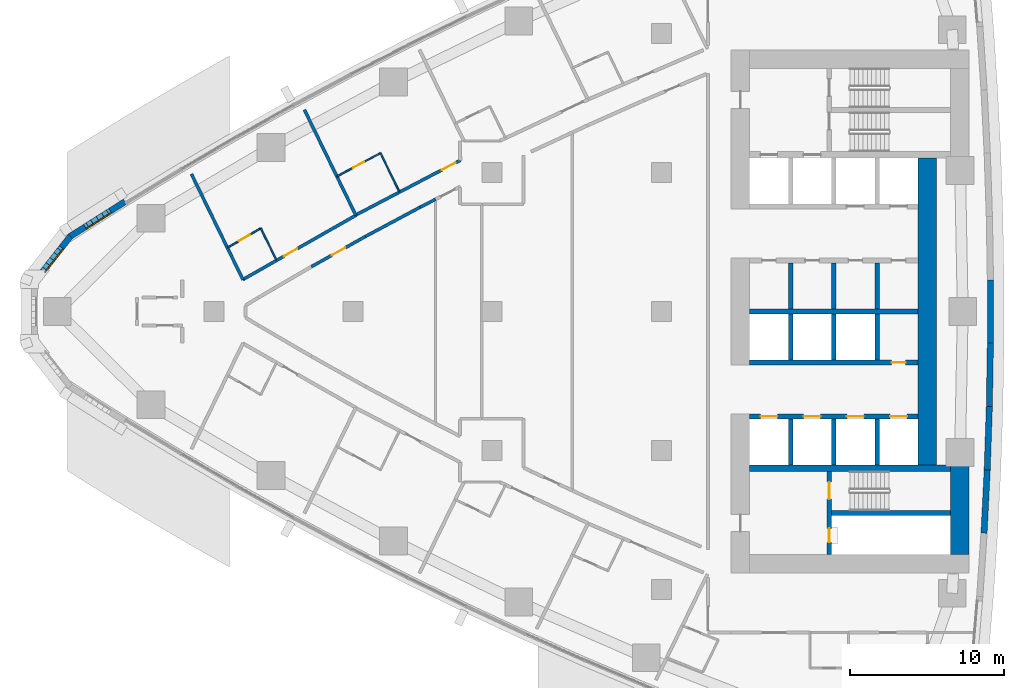
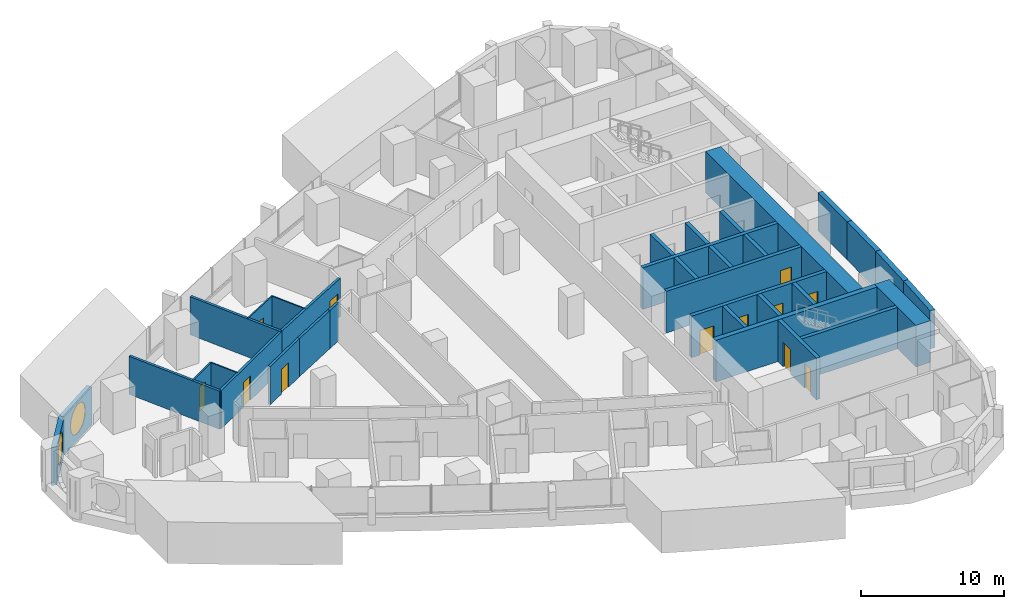
# One storey, part 11 of 19: 34 walls, 12 doors, 2 windows, 14 openings.
"""IFC4 building model written with IfcOpenShell, lengths in metres."""

from ifc_helpers import new_model, si_unit, direction, frame, frame_2d, origin, place, context, subcontext, project, spatial, polyline, rectangle, outline, extrude, material, layer, layer_set, type_object, element, fill, save


model = new_model("IFC4")

# Units and contexts
model_context = context("Model", 3, precision=1e-05, world=origin(), true_north=direction((0.0, 1.0)))
body_context = subcontext(model_context, "Body", "Model", "MODEL_VIEW")
ifc_project = project(units=[si_unit("LENGTHUNIT", "METRE"), si_unit("AREAUNIT", "SQUARE_METRE"), si_unit("VOLUMEUNIT", "CUBIC_METRE"), si_unit("PLANEANGLEUNIT", "RADIAN"), si_unit("MASSUNIT", "GRAM", prefix="KILO")], contexts=[model_context])

# Site, building, storey
site_placement = place(None, origin())
site = spatial("IfcSite", under=ifc_project, at=site_placement, CompositionType="ELEMENT")
building_placement = place(site_placement, origin())
building = spatial("IfcBuilding", under=site, at=building_placement, Name="Ostrand Prow Hotel Tower", CompositionType="ELEMENT")
storey_placement = place(building_placement, frame((0.0, 0.0, 50.25)))
storey = spatial("IfcBuildingStorey", under=building, at=storey_placement, Name="L10", CompositionType="ELEMENT", Elevation=50.25)

# Walls
ifc_material_1 = material(Name="Concrete C80/95", Category="concrete")
ifc_layer_1 = layer(ifc_material_1, 1.199951171875)
ifc_layer_set_1 = layer_set([ifc_layer_1], Name="Concrete C80/95")
wall_type_1 = type_object("IfcWallType", Name="Core wall 1200 C80/95", PredefinedType="SHEAR", material=ifc_layer_set_1)
wall_1_placement = place(storey_placement, frame((64.320068359375, -15.75, 0.0), z_axis=(0.0, 0.0, 1.0), x_axis=(0.0, 1.0, 0.0)))
element("IfcWall", 1, at=wall_1_placement, inside=storey, type_object=wall_type_1, Name="Core wall CW-E-S", PredefinedType="SHEAR", context=body_context, shape_type="SweptSolid", body=[
    extrude(rectangle(XDim=5.800048828125, YDim=1.199951171875, at=frame_2d((2.89990234375, 0.0))), origin(), (0.0, 0.0, 1.0), 3.550048828125),
])
wall_2_placement = place(storey_placement, frame((62.199951171875, -9.949951171875, 0.0), z_axis=(0.0, 0.0, 1.0), x_axis=(0.0, 1.0, 0.0)))
element("IfcWall", 2, at=wall_2_placement, inside=storey, type_object=wall_type_1, Name="Core wall CW-E-C", PredefinedType="SHEAR", context=body_context, shape_type="SweptSolid", body=[
    extrude(rectangle(XDim=19.89990234375, YDim=1.199951171875, at=frame_2d((9.949951171875, 0.0))), origin(), (0.0, 0.0, 1.0), 3.550048828125),
])
ifc_material_2 = material(Name="Concrete C80/95", Category="concrete")
ifc_layer_2 = layer(ifc_material_2, 0.300048828125)
ifc_layer_set_2 = layer_set([ifc_layer_2], Name="Concrete C80/95")
wall_type_2 = type_object("IfcWallType", Name="Core wall 300 C80/95", PredefinedType="SHEAR", material=ifc_layer_set_2)
wall_3_placement = place(storey_placement, frame((50.699951171875, 0.0, 0.0), z_axis=(0.0, 0.0, 1.0), x_axis=(1.0, 0.0, 0.0)))
element("IfcWall", 3, at=wall_3_placement, inside=storey, type_object=wall_type_2, Name="Core wall PW-C", PredefinedType="SHEAR", context=body_context, shape_type="SweptSolid", body=[
    extrude(rectangle(XDim=10.900146484375, YDim=0.300048828125, at=frame_2d((5.4501953125, 0.0))), origin(), (0.0, 0.0, 1.0), 3.550048828125),
])
for number, where, z_axis, x_axis, name in (
    (4, (53.35009765625, 0.14990234375, 0.0), (0.0, 0.0, 1.0), (0.0, 1.0, 0.0), "Core wall PW-R1-NB"),
    (5, (56.14990234375, 0.14990234375, 0.0), (0.0, 0.0, 1.0), (0.0, 1.0, 0.0), "Core wall PW-R2-NB"),
    (6, (58.949951171875, 0.14990234375, 0.0), (0.0, 0.0, 1.0), (0.0, 1.0, 0.0), "Core wall PW-R3-NB"),
):
    element("IfcWall", number, at=place(storey_placement, frame(where, z_axis=z_axis, x_axis=x_axis)), inside=storey, type_object=wall_type_2, Name=name, PredefinedType="SHEAR", context=body_context, shape_type="SweptSolid", body=[
        extrude(rectangle(XDim=3.0, YDim=0.300048828125, at=frame_2d((1.5, 0.0))), origin(), (0.0, 0.0, 1.0), 3.550048828125),
    ])

# Wall, opening, door
wall_4_placement = place(storey_placement, frame((50.699951171875, -3.300048828125, 0.0), z_axis=(0.0, 0.0, 1.0), x_axis=(1.0, 0.0, 0.0)))
wall_4 = element("IfcWall", 7, at=wall_4_placement, inside=storey, type_object=wall_type_2, Name="Core wall PW-L1-S", PredefinedType="SHEAR", context=body_context, shape_type="SweptSolid", body=[
    extrude(rectangle(XDim=10.900146484375, YDim=0.300048828125, at=frame_2d((5.4501953125, 0.0))), origin(), (0.0, 0.0, 1.0), 3.550048828125),
])
opening_1_placement = place(wall_4_placement, frame((9.199951171875, 0.0, 0.0)))
opening_1 = element("IfcOpeningElement", 8, at=opening_1_placement, cuts=wall_4, Name="Opening FD2", PredefinedType="OPENING", context=body_context, shape_type="SweptSolid", body=[
    extrude(rectangle(XDim=0.89990234375, YDim=2.10009765625, at=frame_2d((0.449951171875, 1.050048828125))), frame((0.0, 0.159912109375, 0.0), z_axis=(0.0, -1.0, 0.0), x_axis=(1.0, 0.0, 0.0)), (0.0, 0.0, 1.0), 0.320068359375),
])
ifc_material_3 = material(Name="Steel fire door", Category="steel")
door_type_1 = type_object("IfcDoorType", Name="Fire door 900 EI120", OperationType="SINGLE_SWING_LEFT", PredefinedType="DOOR", material=ifc_material_3)
door_1_placement = place(opening_1_placement, origin())
door_1 = element("IfcDoor", 9, at=door_1_placement, inside=storey, type_object=door_type_1, Name="DOOR", OperationType="SINGLE_SWING_LEFT", OverallHeight=2.10009765625, OverallWidth=0.89990234375, PredefinedType="DOOR", context=body_context, shape_type="SweptSolid", body=[
    extrude(rectangle(XDim=0.89990234375, YDim=2.10009765625, at=frame_2d((0.449951171875, 1.050048828125))), frame((0.0, 0.02490234375, 0.0), z_axis=(0.0, -1.0, 0.0), x_axis=(1.0, 0.0, 0.0)), (0.0, 0.0, 1.0), 0.050048828125),
])
fill(opening_1, door_1)

# Wall, openings, doors
wall_5_placement = place(storey_placement, frame((50.699951171875, -6.800048828125, 0.0), z_axis=(0.0, 0.0, 1.0), x_axis=(1.0, 0.0, 0.0)))
wall_5 = element("IfcWall", 10, at=wall_5_placement, inside=storey, type_object=wall_type_2, Name="Core wall PW-L2-S", PredefinedType="SHEAR", context=body_context, shape_type="SweptSolid", body=[
    extrude(rectangle(XDim=10.900146484375, YDim=0.300048828125, at=frame_2d((5.4501953125, 0.0))), origin(), (0.0, 0.0, 1.0), 3.550048828125),
])
opening_2_placement = place(wall_5_placement, frame((0.699951171875, 0.0, 0.0)))
opening_2 = element("IfcOpeningElement", 11, at=opening_2_placement, cuts=wall_5, Name="Opening LD", PredefinedType="OPENING", context=body_context, shape_type="SweptSolid", body=[
    extrude(rectangle(XDim=1.10009765625, YDim=2.10009765625, at=frame_2d((0.550048828125, 1.050048828125))), frame((0.0, 0.159912109375, 0.0), z_axis=(0.0, -1.0, 0.0), x_axis=(1.0, 0.0, 0.0)), (0.0, 0.0, 1.0), 0.320068359375),
])
opening_3_placement = place(wall_5_placement, frame((3.5, 0.0, 0.0)))
opening_3 = element("IfcOpeningElement", 12, at=opening_3_placement, cuts=wall_5, Name="Opening LD", PredefinedType="OPENING", context=body_context, shape_type="SweptSolid", body=[
    extrude(rectangle(XDim=1.10009765625, YDim=2.10009765625, at=frame_2d((0.550048828125, 1.050048828125))), frame((0.0, 0.159912109375, 0.0), z_axis=(0.0, -1.0, 0.0), x_axis=(1.0, 0.0, 0.0)), (0.0, 0.0, 1.0), 0.320068359375),
])
opening_4_placement = place(wall_5_placement, frame((6.300048828125, 0.0, 0.0)))
opening_4 = element("IfcOpeningElement", 13, at=opening_4_placement, cuts=wall_5, Name="Opening LD", PredefinedType="OPENING", context=body_context, shape_type="SweptSolid", body=[
    extrude(rectangle(XDim=1.10009765625, YDim=2.10009765625, at=frame_2d((0.550048828125, 1.050048828125))), frame((0.0, 0.159912109375, 0.0), z_axis=(0.0, -1.0, 0.0), x_axis=(1.0, 0.0, 0.0)), (0.0, 0.0, 1.0), 0.320068359375),
])
opening_5_placement = place(wall_5_placement, frame((9.10009765625, 0.0, 0.0)))
opening_5 = element("IfcOpeningElement", 14, at=opening_5_placement, cuts=wall_5, Name="Opening LD", PredefinedType="OPENING", context=body_context, shape_type="SweptSolid", body=[
    extrude(rectangle(XDim=1.10009765625, YDim=2.10009765625, at=frame_2d((0.550048828125, 1.050048828125))), frame((0.0, 0.159912109375, 0.0), z_axis=(0.0, -1.0, 0.0), x_axis=(1.0, 0.0, 0.0)), (0.0, 0.0, 1.0), 0.320068359375),
])
ifc_material_4 = material(Name="Stainless steel door", Category="steel")
door_type_2 = type_object("IfcDoorType", Name="Lift landing door 1100", OperationType="DOUBLE_DOOR_SLIDING", PredefinedType="DOOR", material=ifc_material_4)
door_2_placement = place(opening_2_placement, origin())
door_2 = element("IfcDoor", 15, at=door_2_placement, inside=storey, type_object=door_type_2, Name="LIFT LANDING DOOR", OperationType="DOUBLE_DOOR_SLIDING", OverallHeight=2.10009765625, OverallWidth=1.10009765625, PredefinedType="DOOR", context=body_context, shape_type="SweptSolid", body=[
    extrude(rectangle(XDim=1.10009765625, YDim=2.10009765625, at=frame_2d((0.550048828125, 1.050048828125))), frame((0.0, 0.02490234375, 0.0), z_axis=(0.0, -1.0, 0.0), x_axis=(1.0, 0.0, 0.0)), (0.0, 0.0, 1.0), 0.050048828125),
])
fill(opening_2, door_2)
door_3_placement = place(opening_3_placement, origin())
door_3 = element("IfcDoor", 16, at=door_3_placement, inside=storey, type_object=door_type_2, Name="LIFT LANDING DOOR", OperationType="DOUBLE_DOOR_SLIDING", OverallHeight=2.10009765625, OverallWidth=1.10009765625, PredefinedType="DOOR", context=body_context, shape_type="SweptSolid", body=[
    extrude(rectangle(XDim=1.10009765625, YDim=2.10009765625, at=frame_2d((0.550048828125, 1.050048828125))), frame((0.0, 0.02490234375, 0.0), z_axis=(0.0, -1.0, 0.0), x_axis=(1.0, 0.0, 0.0)), (0.0, 0.0, 1.0), 0.050048828125),
])
fill(opening_3, door_3)
door_4_placement = place(opening_4_placement, origin())
door_4 = element("IfcDoor", 17, at=door_4_placement, inside=storey, type_object=door_type_2, Name="LIFT LANDING DOOR", OperationType="DOUBLE_DOOR_SLIDING", OverallHeight=2.10009765625, OverallWidth=1.10009765625, PredefinedType="DOOR", context=body_context, shape_type="SweptSolid", body=[
    extrude(rectangle(XDim=1.10009765625, YDim=2.10009765625, at=frame_2d((0.550048828125, 1.050048828125))), frame((0.0, 0.02490234375, 0.0), z_axis=(0.0, -1.0, 0.0), x_axis=(1.0, 0.0, 0.0)), (0.0, 0.0, 1.0), 0.050048828125),
])
fill(opening_4, door_4)
door_5_placement = place(opening_5_placement, origin())
door_5 = element("IfcDoor", 18, at=door_5_placement, inside=storey, type_object=door_type_2, Name="LIFT LANDING DOOR", OperationType="DOUBLE_DOOR_SLIDING", OverallHeight=2.10009765625, OverallWidth=1.10009765625, PredefinedType="DOOR", context=body_context, shape_type="SweptSolid", body=[
    extrude(rectangle(XDim=1.10009765625, YDim=2.10009765625, at=frame_2d((0.550048828125, 1.050048828125))), frame((0.0, 0.02490234375, 0.0), z_axis=(0.0, -1.0, 0.0), x_axis=(1.0, 0.0, 0.0)), (0.0, 0.0, 1.0), 0.050048828125),
])
fill(opening_5, door_5)

# Walls
for number, where, z_axis, x_axis, name in (
    (19, (53.35009765625, -3.14990234375, 0.0), (0.0, 0.0, 1.0), (0.0, 1.0, 0.0), "Core wall PW-R1-SB"),
    (20, (53.35009765625, -9.949951171875, 0.0), (0.0, 0.0, 1.0), (0.0, 1.0, 0.0), "Core wall PW-R1-SA"),
    (21, (56.14990234375, -3.14990234375, 0.0), (0.0, 0.0, 1.0), (0.0, 1.0, 0.0), "Core wall PW-R2-SB"),
    (22, (56.14990234375, -9.949951171875, 0.0), (0.0, 0.0, 1.0), (0.0, 1.0, 0.0), "Core wall PW-R2-SA"),
    (23, (58.949951171875, -3.14990234375, 0.0), (0.0, 0.0, 1.0), (0.0, 1.0, 0.0), "Core wall PW-R3-SB"),
    (24, (58.949951171875, -9.949951171875, 0.0), (0.0, 0.0, 1.0), (0.0, 1.0, 0.0), "Core wall PW-R3-SA"),
):
    element("IfcWall", number, at=place(storey_placement, frame(where, z_axis=z_axis, x_axis=x_axis)), inside=storey, type_object=wall_type_2, Name=name, PredefinedType="SHEAR", context=body_context, shape_type="SweptSolid", body=[
        extrude(rectangle(XDim=3.0, YDim=0.300048828125, at=frame_2d((1.5, 0.0))), origin(), (0.0, 0.0, 1.0), 3.550048828125),
    ])

# Wall, openings, doors
wall_6_placement = place(storey_placement, frame((55.85009765625, -15.75, 0.0), z_axis=(0.0, 0.0, 1.0), x_axis=(0.0, 1.0, 0.0)))
wall_6 = element("IfcWall", 25, at=wall_6_placement, inside=storey, type_object=wall_type_2, Name="Core wall PW-VS", PredefinedType="SHEAR", context=body_context, shape_type="SweptSolid", body=[
    extrude(rectangle(XDim=5.39990234375, YDim=0.300048828125, at=frame_2d((2.699951171875, 0.0))), origin(), (0.0, 0.0, 1.0), 3.550048828125),
])
opening_6_placement = place(wall_6_placement, frame((3.60009765625, 0.0, 0.0)))
opening_6 = element("IfcOpeningElement", 26, at=opening_6_placement, cuts=wall_6, Name="Opening FD1", PredefinedType="OPENING", context=body_context, shape_type="SweptSolid", body=[
    extrude(rectangle(XDim=1.10009765625, YDim=2.10009765625, at=frame_2d((0.550048828125, 1.050048828125))), frame((0.0, 0.159912109375, 0.0), z_axis=(0.0, -1.0, 0.0), x_axis=(1.0, 0.0, 0.0)), (0.0, 0.0, 1.0), 0.320068359375),
])
opening_7_placement = place(wall_6_placement, frame((0.800048828125, 0.0, 0.0)))
opening_7 = element("IfcOpeningElement", 27, at=opening_7_placement, cuts=wall_6, Name="Opening FD2", PredefinedType="OPENING", context=body_context, shape_type="SweptSolid", body=[
    extrude(rectangle(XDim=0.89990234375, YDim=2.10009765625, at=frame_2d((0.449951171875, 1.050048828125))), frame((0.0, 0.159912109375, 0.0), z_axis=(0.0, -1.0, 0.0), x_axis=(1.0, 0.0, 0.0)), (0.0, 0.0, 1.0), 0.320068359375),
])
ifc_material_5 = material(Name="Steel fire door", Category="steel")
door_type_3 = type_object("IfcDoorType", Name="Fire door 1100 EI120", OperationType="SINGLE_SWING_RIGHT", PredefinedType="DOOR", material=ifc_material_5)
door_6_placement = place(opening_6_placement, origin())
door_6 = element("IfcDoor", 28, at=door_6_placement, inside=storey, type_object=door_type_3, Name="FIRE DOOR", OperationType="SINGLE_SWING_RIGHT", OverallHeight=2.10009765625, OverallWidth=1.10009765625, PredefinedType="DOOR", context=body_context, shape_type="SweptSolid", body=[
    extrude(rectangle(XDim=1.10009765625, YDim=2.10009765625, at=frame_2d((0.550048828125, 1.050048828125))), frame((0.0, 0.02490234375, 0.0), z_axis=(0.0, -1.0, 0.0), x_axis=(1.0, 0.0, 0.0)), (0.0, 0.0, 1.0), 0.050048828125),
])
fill(opening_6, door_6)
door_7_placement = place(opening_7_placement, origin())
door_7 = element("IfcDoor", 29, at=door_7_placement, inside=storey, type_object=door_type_1, Name="FIRE DOOR", OperationType="SINGLE_SWING_LEFT", OverallHeight=2.10009765625, OverallWidth=0.89990234375, PredefinedType="DOOR", context=body_context, shape_type="SweptSolid", body=[
    extrude(rectangle(XDim=0.89990234375, YDim=2.10009765625, at=frame_2d((0.449951171875, 1.050048828125))), frame((0.0, 0.02490234375, 0.0), z_axis=(0.0, -1.0, 0.0), x_axis=(1.0, 0.0, 0.0)), (0.0, 0.0, 1.0), 0.050048828125),
])
fill(opening_7, door_7)

# Walls
wall_7_placement = place(storey_placement, frame((56.0, -13.050048828125, 0.0), z_axis=(0.0, 0.0, 1.0), x_axis=(1.0, 0.0, 0.0)))
element("IfcWall", 30, at=wall_7_placement, inside=storey, type_object=wall_type_2, Name="Core wall PW-ST2R", PredefinedType="SHEAR", context=body_context, shape_type="SweptSolid", body=[
    extrude(rectangle(XDim=7.719970703125, YDim=0.300048828125, at=frame_2d((3.85986328125, 0.0))), origin(), (0.0, 0.0, 1.0), 3.550048828125),
])
ifc_material_6 = material(Name="Concrete C80/95", Category="concrete")
ifc_layer_3 = layer(ifc_material_6, 0.39990234375)
ifc_layer_set_3 = layer_set([ifc_layer_3], Name="Concrete C80/95")
wall_type_3 = type_object("IfcWallType", Name="Core wall 400 C80/95", PredefinedType="SHEAR", material=ifc_layer_set_3)
wall_8_placement = place(storey_placement, frame((50.699951171875, -10.14990234375, 0.0), z_axis=(0.0, 0.0, 1.0), x_axis=(1.0, 0.0, 0.0)))
element("IfcWall", 31, at=wall_8_placement, inside=storey, type_object=wall_type_3, Name="Core wall PW-BS", PredefinedType="SHEAR", context=body_context, shape_type="SweptSolid", body=[
    extrude(rectangle(XDim=13.02001953125, YDim=0.39990234375, at=frame_2d((6.510009765625, 0.0))), origin(), (0.0, 0.0, 1.0), 3.550048828125),
])

# Wall, opening, door
ifc_material_7 = material(Name="Plasterboard partition")
ifc_layer_4 = layer(ifc_material_7, 0.10009765625)
ifc_layer_set_4 = layer_set([ifc_layer_4], Name="Plasterboard partition")
wall_type_4 = type_object("IfcWallType", Name="Partition 100 bathroom wall", PredefinedType="PARTITIONING", material=ifc_layer_set_4)
wall_9_placement = place(storey_placement, frame((16.898193359375, 4.1435546875, 0.0), z_axis=(0.0, 0.0, 1.0), x_axis=(0.863707305865, 0.503993739837, 0.0)))
wall_9 = element("IfcWall", 32, at=wall_9_placement, inside=storey, type_object=wall_type_4, Name="BATHROOM WALL", PredefinedType="PARTITIONING", context=body_context, shape_type="SweptSolid", body=[
    extrude(rectangle(XDim=2.473876953125, YDim=0.10009765625, at=frame_2d((1.23681640625, 0.0))), origin(), (0.0, 0.0, 1.0), 3.25),
])
opening_8_placement = place(wall_9_placement, frame((0.85009765625, 0.0, 0.0)))
opening_8 = element("IfcOpeningElement", 33, at=opening_8_placement, cuts=wall_9, Name="Opening D2", PredefinedType="OPENING", context=body_context, shape_type="SweptSolid", body=[
    extrude(rectangle(XDim=0.800048828125, YDim=2.10009765625, at=frame_2d((0.39990234375, 1.050048828125))), frame((0.0, 0.06005859375, 0.0), z_axis=(0.0, -1.0, 0.0), x_axis=(1.0, 0.0, 0.0)), (0.0, 0.0, 1.0), 0.1201171875),
])
ifc_material_8 = material(Name="Timber door leaf", Category="wood")
door_type_4 = type_object("IfcDoorType", Name="Bathroom door 800", OperationType="SINGLE_SWING_LEFT", PredefinedType="DOOR", material=ifc_material_8)
door_8_placement = place(opening_8_placement, origin())
door_8 = element("IfcDoor", 34, at=door_8_placement, inside=storey, type_object=door_type_4, Name="DOOR", OperationType="SINGLE_SWING_LEFT", OverallHeight=2.10009765625, OverallWidth=0.800048828125, PredefinedType="DOOR", context=body_context, shape_type="SweptSolid", body=[
    extrude(rectangle(XDim=0.800048828125, YDim=2.10009765625, at=frame_2d((0.39990234375, 1.050048828125))), frame((0.0, 0.02490234375, 0.0), z_axis=(0.0, -1.0, 0.0), x_axis=(1.0, 0.0, 0.0)), (0.0, 0.0, 1.0), 0.050048828125),
])
fill(opening_8, door_8)

# Wall
wall_10_placement = place(storey_placement, frame((19.03515625, 5.390380859375, 0.0), z_axis=(0.0, 0.0, 1.0), x_axis=(0.438122322582, -0.898915363344, 0.0)))
element("IfcWall", 35, at=wall_10_placement, inside=storey, type_object=wall_type_4, Name="BATHROOM WALL", PredefinedType="PARTITIONING", context=body_context, shape_type="SweptSolid", body=[
    extrude(rectangle(XDim=2.282958984375, YDim=0.10009765625, at=frame_2d((1.1416015625, 0.0))), origin(), (0.0, 0.0, 1.0), 3.25),
])

# Wall, opening, door
wall_11_placement = place(storey_placement, frame((23.96240234375, 8.74755859375, 0.0), z_axis=(0.0, 0.0, 1.0), x_axis=(0.881653338438, 0.471897648672, 0.0)))
wall_11 = element("IfcWall", 36, at=wall_11_placement, inside=storey, type_object=wall_type_4, Name="BATHROOM WALL", PredefinedType="PARTITIONING", context=body_context, shape_type="SweptSolid", body=[
    extrude(rectangle(XDim=3.201904296875, YDim=0.10009765625, at=frame_2d((1.60107421875, 0.0))), origin(), (0.0, 0.0, 1.0), 3.25),
])
opening_9_placement = place(wall_11_placement, frame((1.199951171875, 0.0, 0.0)))
opening_9 = element("IfcOpeningElement", 37, at=opening_9_placement, cuts=wall_11, Name="Opening D2", PredefinedType="OPENING", context=body_context, shape_type="SweptSolid", body=[
    extrude(rectangle(XDim=0.800048828125, YDim=2.10009765625, at=frame_2d((0.39990234375, 1.050048828125))), frame((0.0, 0.06005859375, 0.0), z_axis=(0.0, -1.0, 0.0), x_axis=(1.0, 0.0, 0.0)), (0.0, 0.0, 1.0), 0.1201171875),
])
door_9_placement = place(opening_9_placement, origin())
door_9 = element("IfcDoor", 38, at=door_9_placement, inside=storey, type_object=door_type_4, Name="DOOR", OperationType="SINGLE_SWING_LEFT", OverallHeight=2.10009765625, OverallWidth=0.800048828125, PredefinedType="DOOR", context=body_context, shape_type="SweptSolid", body=[
    extrude(rectangle(XDim=0.800048828125, YDim=2.10009765625, at=frame_2d((0.39990234375, 1.050048828125))), frame((0.0, 0.02490234375, 0.0), z_axis=(0.0, -1.0, 0.0), x_axis=(1.0, 0.0, 0.0)), (0.0, 0.0, 1.0), 0.050048828125),
])
fill(opening_9, door_9)

# Wall
wall_12_placement = place(storey_placement, frame((26.78564453125, 10.258544921875, 0.0), z_axis=(0.0, 0.0, 1.0), x_axis=(0.43822975423, -0.898862994292, 0.0)))
element("IfcWall", 39, at=wall_12_placement, inside=storey, type_object=wall_type_4, Name="BATHROOM WALL", PredefinedType="PARTITIONING", context=body_context, shape_type="SweptSolid", body=[
    extrude(rectangle(XDim=2.77880859375, YDim=0.10009765625, at=frame_2d((1.389404296875, 0.0))), origin(), (0.0, 0.0, 1.0), 3.25),
])

# Wall, opening, door
ifc_material_9 = material(Name="Plasterboard partition")
ifc_layer_5 = layer(ifc_material_9, 0.199951171875)
ifc_layer_set_5 = layer_set([ifc_layer_5], Name="Plasterboard partition")
wall_type_5 = type_object("IfcWallType", Name="Partition 200 corridor wall", PredefinedType="PARTITIONING", material=ifc_layer_set_5)
wall_13_placement = place(storey_placement, frame((17.87353515625, 2.068115234375, 0.0), z_axis=(0.0, 0.0, 1.0), x_axis=(0.869280098963, 0.494319845391, 0.0)))
wall_13 = element("IfcWall", 40, at=wall_13_placement, inside=storey, type_object=wall_type_5, Name="CORRIDOR WALL", PredefinedType="PARTITIONING", context=body_context, shape_type="SweptSolid", body=[
    extrude(rectangle(XDim=8.4169921875, YDim=0.199951171875, at=frame_2d((4.20849609375, 0.0))), origin(), (0.0, 0.0, 1.0), 3.25),
])
opening_10_placement = place(wall_13_placement, frame((3.050048828125, 0.0, 0.0)))
opening_10 = element("IfcOpeningElement", 41, at=opening_10_placement, cuts=wall_13, Name="Opening D1", PredefinedType="OPENING", context=body_context, shape_type="SweptSolid", body=[
    extrude(rectangle(XDim=1.0, YDim=2.10009765625, at=frame_2d((0.5, 1.050048828125))), frame((0.0, 0.10986328125, 0.0), z_axis=(0.0, -1.0, 0.0), x_axis=(1.0, 0.0, 0.0)), (0.0, 0.0, 1.0), 0.219970703125),
])
ifc_material_10 = material(Name="Timber door leaf", Category="wood")
door_type_5 = type_object("IfcDoorType", Name="Guest room door 1000", OperationType="SINGLE_SWING_LEFT", PredefinedType="DOOR", material=ifc_material_10)
door_10_placement = place(opening_10_placement, origin())
door_10 = element("IfcDoor", 42, at=door_10_placement, inside=storey, type_object=door_type_5, Name="DOOR", OperationType="SINGLE_SWING_LEFT", OverallHeight=2.10009765625, OverallWidth=1.0, PredefinedType="DOOR", context=body_context, shape_type="SweptSolid", body=[
    extrude(rectangle(XDim=1.0, YDim=2.10009765625, at=frame_2d((0.5, 1.050048828125))), frame((0.0, 0.02490234375, 0.0), z_axis=(0.0, -1.0, 0.0), x_axis=(1.0, 0.0, 0.0)), (0.0, 0.0, 1.0), 0.050048828125),
])
fill(opening_10, door_10)

wall_14_placement = place(storey_placement, frame((31.949951171875, 9.79248046875, 0.0), z_axis=(0.0, 0.0, 1.0), x_axis=(-0.88581965272, -0.464029678851, 0.0)))
wall_14 = element("IfcWall", 43, at=wall_14_placement, inside=storey, type_object=wall_type_5, Name="CORRIDOR WALL", PredefinedType="PARTITIONING", context=body_context, shape_type="SweptSolid", body=[
    extrude(rectangle(XDim=7.64111328125, YDim=0.199951171875, at=frame_2d((3.820556640625, 0.0))), origin(), (0.0, 0.0, 1.0), 3.25),
])
opening_11_placement = place(wall_14_placement, frame((0.35009765625, 0.0, 0.0)))
opening_11 = element("IfcOpeningElement", 44, at=opening_11_placement, cuts=wall_14, Name="Opening D1", PredefinedType="OPENING", context=body_context, shape_type="SweptSolid", body=[
    extrude(rectangle(XDim=1.0, YDim=2.10009765625, at=frame_2d((0.5, 1.050048828125))), frame((0.0, 0.10986328125, 0.0), z_axis=(0.0, -1.0, 0.0), x_axis=(1.0, 0.0, 0.0)), (0.0, 0.0, 1.0), 0.219970703125),
])
door_11_placement = place(opening_11_placement, origin())
door_11 = element("IfcDoor", 45, at=door_11_placement, inside=storey, type_object=door_type_5, Name="DOOR", OperationType="SINGLE_SWING_LEFT", OverallHeight=2.10009765625, OverallWidth=1.0, PredefinedType="DOOR", context=body_context, shape_type="SweptSolid", body=[
    extrude(rectangle(XDim=1.0, YDim=2.10009765625, at=frame_2d((0.5, 1.050048828125))), frame((0.0, 0.02490234375, 0.0), z_axis=(0.0, -1.0, 0.0), x_axis=(1.0, 0.0, 0.0)), (0.0, 0.0, 1.0), 0.050048828125),
])
fill(opening_11, door_11)

wall_15_placement = place(storey_placement, frame((22.31201171875, 2.903076171875, 0.0), z_axis=(0.0, 0.0, 1.0), x_axis=(0.872800289292, 0.488077509225, 0.0)))
wall_15 = element("IfcWall", 46, at=wall_15_placement, inside=storey, type_object=wall_type_5, Name="CORRIDOR WALL", PredefinedType="PARTITIONING", context=body_context, shape_type="SweptSolid", body=[
    extrude(rectangle(XDim=4.015625, YDim=0.199951171875, at=frame_2d((2.0078125, 0.0))), origin(), (0.0, 0.0, 1.0), 3.25),
])
opening_12_placement = place(wall_15_placement, frame((1.5078125, 0.0, 0.0)))
opening_12 = element("IfcOpeningElement", 47, at=opening_12_placement, cuts=wall_15, Name="Opening D1R", PredefinedType="OPENING", context=body_context, shape_type="SweptSolid", body=[
    extrude(rectangle(XDim=1.0, YDim=2.10009765625, at=frame_2d((0.5, 1.050048828125))), frame((0.0, 0.10986328125, 0.0), z_axis=(0.0, -1.0, 0.0), x_axis=(1.0, 0.0, 0.0)), (0.0, 0.0, 1.0), 0.219970703125),
])
ifc_material_11 = material(Name="Timber door leaf", Category="wood")
door_type_6 = type_object("IfcDoorType", Name="Guest room door 1000 right", OperationType="SINGLE_SWING_RIGHT", PredefinedType="DOOR", material=ifc_material_11)
door_12_placement = place(opening_12_placement, origin())
door_12 = element("IfcDoor", 48, at=door_12_placement, inside=storey, type_object=door_type_6, Name="DOOR", OperationType="SINGLE_SWING_RIGHT", OverallHeight=2.10009765625, OverallWidth=1.0, PredefinedType="DOOR", context=body_context, shape_type="SweptSolid", body=[
    extrude(rectangle(XDim=1.0, YDim=2.10009765625, at=frame_2d((0.5, 1.050048828125))), frame((0.0, 0.02490234375, 0.0), z_axis=(0.0, -1.0, 0.0), x_axis=(1.0, 0.0, 0.0)), (0.0, 0.0, 1.0), 0.050048828125),
])
fill(opening_12, door_12)

# Walls
wall_16_placement = place(storey_placement, frame((29.357421875, 6.758056640625, 0.0), z_axis=(0.0, 0.0, 1.0), x_axis=(0.890241988655, 0.455487872106, 0.0)))
element("IfcWall", 49, at=wall_16_placement, inside=storey, type_object=wall_type_5, Name="CORRIDOR WALL", PredefinedType="PARTITIONING", context=body_context, shape_type="SweptSolid", body=[
    extrude(rectangle(XDim=1.11865234375, YDim=0.199951171875, at=frame_2d((0.559326171875, 0.0))), origin(), (0.0, 0.0, 1.0), 3.25),
])
wall_17_placement = place(storey_placement, frame((25.81689453125, 4.863037109375, 0.0), z_axis=(0.0, 0.0, 1.0), x_axis=(0.881655245922, 0.471894084874, 0.0)))
element("IfcWall", 50, at=wall_17_placement, inside=storey, type_object=wall_type_5, Name="CORRIDOR WALL", PredefinedType="PARTITIONING", context=body_context, shape_type="SweptSolid", body=[
    extrude(rectangle(XDim=4.015869140625, YDim=0.199951171875, at=frame_2d((2.0078125, 0.0))), origin(), (0.0, 0.0, 1.0), 3.25),
])
ifc_material_12 = material(Name="Plasterboard partition")
ifc_layer_6 = layer(ifc_material_12, 0.199951171875)
ifc_layer_set_6 = layer_set([ifc_layer_6], Name="Plasterboard partition")
wall_type_6 = type_object("IfcWallType", Name="Partition 200 key partition", PredefinedType="PARTITIONING", material=ifc_layer_set_6)
wall_18_placement = place(storey_placement, frame((17.88232421875, 2.050048828125, 0.0), z_axis=(0.0, 0.0, 1.0), x_axis=(-0.438213564788, 0.898870887078, 0.0)))
element("IfcWall", 51, at=wall_18_placement, inside=storey, type_object=wall_type_6, Name="KEY PARTITION", PredefinedType="PARTITIONING", context=body_context, shape_type="SweptSolid", body=[
    extrude(rectangle(XDim=7.62548828125, YDim=0.199951171875, at=frame_2d((3.812744140625, 0.0))), origin(), (0.0, 0.0, 1.0), 3.25),
])
wall_19_placement = place(storey_placement, frame((25.190185546875, 6.228759765625, 0.0), z_axis=(0.0, 0.0, 1.0), x_axis=(-0.438202895602, 0.898876088394, 0.0)))
element("IfcWall", 52, at=wall_19_placement, inside=storey, type_object=wall_type_6, Name="KEY PARTITION", PredefinedType="PARTITIONING", context=body_context, shape_type="SweptSolid", body=[
    extrude(rectangle(XDim=7.60546875, YDim=0.199951171875, at=frame_2d((3.802734375, 0.0))), origin(), (0.0, 0.0, 1.0), 3.25),
])

# Wall, opening, window
ifc_material_13 = material(Name="Precast concrete C40/50", Category="concrete")
ifc_layer_7 = layer(ifc_material_13, 0.39990234375)
ifc_layer_set_7 = layer_set([ifc_layer_7], Name="Precast concrete C40/50")
wall_type_7 = type_object("IfcWallType", Name="Stone-faced precast wall 400 mm", PredefinedType="NOTDEFINED", material=ifc_layer_set_7)
wall_20_placement = place(storey_placement, frame((10.24169921875, 7.116455078125, 0.0), z_axis=(0.0, 0.0, 1.0), x_axis=(-0.844551578623, -0.535474211372, 0.0)))
wall_20 = element("IfcWall", 53, at=wall_20_placement, inside=storey, type_object=wall_type_7, Name="Stone-faced wall prow 1", PredefinedType="NOTDEFINED", context=body_context, shape_type="SweptSolid", body=[
    extrude(outline(polyline([(0.0, -0.199951171875), (4.23046875, -0.199951171875), (4.16162109375, 0.199951171875), (0.0, 0.199951171875), (0.0, -0.199951171875)])), origin(), (0.0, 0.0, 1.0), 3.25),
])
opening_13_placement = place(wall_20_placement, frame((0.998046875, 0.0, 0.60009765625)))
opening_13 = element("IfcOpeningElement", 54, at=opening_13_placement, cuts=wall_20, Name="Opening WP1", PredefinedType="OPENING", context=body_context, shape_type="SweptSolid", body=[
    extrude(outline(polyline([(0.0, 1.35009765625), (0.083740234375, 1.77099609375), (0.322265625, 2.127685546875), (0.678955078125, 2.3662109375), (1.10009765625, 2.449951171875), (1.52099609375, 2.3662109375), (1.877685546875, 2.127685546875), (2.1162109375, 1.77099609375), (2.199951171875, 1.35009765625), (2.199951171875, 1.10009765625), (2.1162109375, 0.678955078125), (1.877685546875, 0.322265625), (1.52099609375, 0.083740234375), (1.10009765625, 0.0), (0.678955078125, 0.083740234375), (0.322265625, 0.322265625), (0.083740234375, 0.678955078125), (0.0, 1.099853515625), (0.0, 1.35009765625)])), frame((0.0, 0.2099609375, 0.0), z_axis=(0.0, -1.0, 0.0), x_axis=(1.0, 0.0, 0.0)), (0.0, 0.0, 1.0), 0.419921875),
])
ifc_material_14 = material(Name="Insulated glass in bronze frame", Category="glass")
window_type = type_object("IfcWindowType", Name="Round-ended prow window 2200x2450", PartitioningType="SINGLE_PANEL", PredefinedType="WINDOW", material=ifc_material_14)
window_1_placement = place(opening_13_placement, origin())
window_1 = element("IfcWindow", 55, at=window_1_placement, inside=storey, type_object=window_type, Name="Window prow 1.1", OverallHeight=2.449951171875, OverallWidth=2.199951171875, PartitioningType="SINGLE_PANEL", PredefinedType="WINDOW", context=body_context, shape_type="SweptSolid", body=[
    extrude(outline(polyline([(0.0, 1.35009765625), (0.083740234375, 1.77099609375), (0.322265625, 2.127685546875), (0.678955078125, 2.3662109375), (1.10009765625, 2.449951171875), (1.52099609375, 2.3662109375), (1.877685546875, 2.127685546875), (2.1162109375, 1.77099609375), (2.199951171875, 1.35009765625), (2.199951171875, 1.10009765625), (2.1162109375, 0.678955078125), (1.877685546875, 0.322265625), (1.52099609375, 0.083740234375), (1.10009765625, 0.0), (0.678955078125, 0.083740234375), (0.322265625, 0.322265625), (0.083740234375, 0.678955078125), (0.0, 1.099853515625), (0.0, 1.35009765625)])), frame((0.0, 0.169921875, 0.0), z_axis=(0.0, -1.0, 0.0), x_axis=(1.0, 0.0, 0.0)), (0.0, 0.0, 1.0), 0.06005859375),
])
fill(opening_13, window_1)

wall_21_placement = place(storey_placement, frame((6.697998046875, 4.86962890625, 0.0), z_axis=(0.0, 0.0, 1.0), x_axis=(-0.616586647779, -0.787287054245, 0.0)))
wall_21 = element("IfcWall", 56, at=wall_21_placement, inside=storey, type_object=wall_type_7, Name="Stone-faced wall prow 2", PredefinedType="NOTDEFINED", context=body_context, shape_type="SweptSolid", body=[
    extrude(outline(polyline([(-0.034423828125, -0.199951171875), (3.85205078125, -0.199951171875), (3.7138671875, 0.199951171875), (0.034423828125, 0.199951171875), (-0.034423828125, -0.199951171875)])), origin(), (0.0, 0.0, 1.0), 3.25),
])
opening_14_placement = place(wall_21_placement, frame((0.79150390625, 0.0, 0.60009765625)))
opening_14 = element("IfcOpeningElement", 57, at=opening_14_placement, cuts=wall_21, Name="Opening WP1", PredefinedType="OPENING", context=body_context, shape_type="SweptSolid", body=[
    extrude(outline(polyline([(0.0, 1.35009765625), (0.083740234375, 1.77099609375), (0.322265625, 2.127685546875), (0.678955078125, 2.3662109375), (1.10009765625, 2.449951171875), (1.52099609375, 2.3662109375), (1.877685546875, 2.127685546875), (2.1162109375, 1.77099609375), (2.199951171875, 1.35009765625), (2.199951171875, 1.10009765625), (2.1162109375, 0.678955078125), (1.877685546875, 0.322265625), (1.52099609375, 0.083740234375), (1.10009765625, 0.0), (0.678955078125, 0.083740234375), (0.322265625, 0.322265625), (0.083740234375, 0.678955078125), (0.0, 1.099853515625), (0.0, 1.35009765625)])), frame((0.0, 0.2099609375, 0.0), z_axis=(0.0, -1.0, 0.0), x_axis=(1.0, 0.0, 0.0)), (0.0, 0.0, 1.0), 0.419921875),
])
window_2_placement = place(opening_14_placement, origin())
window_2 = element("IfcWindow", 58, at=window_2_placement, inside=storey, type_object=window_type, Name="Window prow 2.1", OverallHeight=2.449951171875, OverallWidth=2.199951171875, PartitioningType="SINGLE_PANEL", PredefinedType="WINDOW", context=body_context, shape_type="SweptSolid", body=[
    extrude(outline(polyline([(0.0, 1.35009765625), (0.083740234375, 1.77099609375), (0.322265625, 2.127685546875), (0.678955078125, 2.3662109375), (1.10009765625, 2.449951171875), (1.52099609375, 2.3662109375), (1.877685546875, 2.127685546875), (2.1162109375, 1.77099609375), (2.199951171875, 1.35009765625), (2.199951171875, 1.10009765625), (2.1162109375, 0.678955078125), (1.877685546875, 0.322265625), (1.52099609375, 0.083740234375), (1.10009765625, 0.0), (0.678955078125, 0.083740234375), (0.322265625, 0.322265625), (0.083740234375, 0.678955078125), (0.0, 1.099853515625), (0.0, 1.35009765625)])), frame((0.0, 0.169921875, 0.0), z_axis=(0.0, -1.0, 0.0), x_axis=(1.0, 0.0, 0.0)), (0.0, 0.0, 1.0), 0.06005859375),
])
fill(opening_14, window_2)

# Walls
for number, where, z_axis, x_axis, name in (
    (59, (65.878173828125, -14.359619140625, 0.0), (0.0, 0.0, 1.0), (0.050314326423, 0.998733432181, 0.0), "Stone-faced wall back 7"),
    (60, (66.084716796875, -10.259765625, 0.0), (0.0, 0.0, 1.0), (0.033542554696, 0.999437290191, 0.0), "Stone-faced wall back 8"),
    (61, (66.222412109375, -6.156982421875, 0.0), (0.0, 0.0, 1.0), (0.016830829972, 0.999858351549, 0.0), "Stone-faced wall back 9"),
    (62, (66.29150390625, -2.052490234375, 0.0), (0.0, 0.0, 1.0), (0.0, 1.0, 0.0), "Stone-faced wall back 10"),
):
    element("IfcWall", number, at=place(storey_placement, frame(where, z_axis=z_axis, x_axis=x_axis)), inside=storey, type_object=wall_type_7, Name=name, PredefinedType="NOTDEFINED", context=body_context, shape_type="SweptSolid", body=[
        extrude(outline(polyline([(-0.001708984375, -0.199951171875), (4.106689453125, -0.199951171875), (4.103271484375, 0.199951171875), (0.001708984375, 0.199951171875), (-0.001708984375, -0.199951171875)])), origin(), (0.0, 0.0, 1.0), 3.25),
    ])

save(model, "model.ifc")
